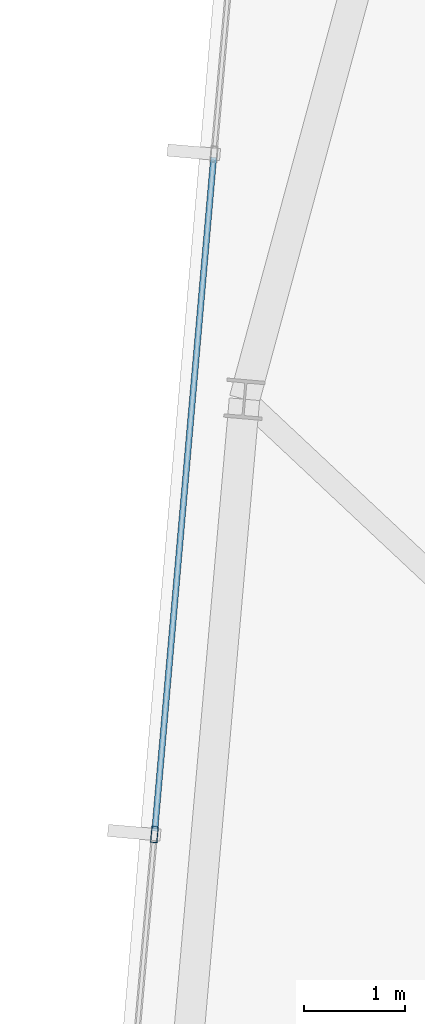
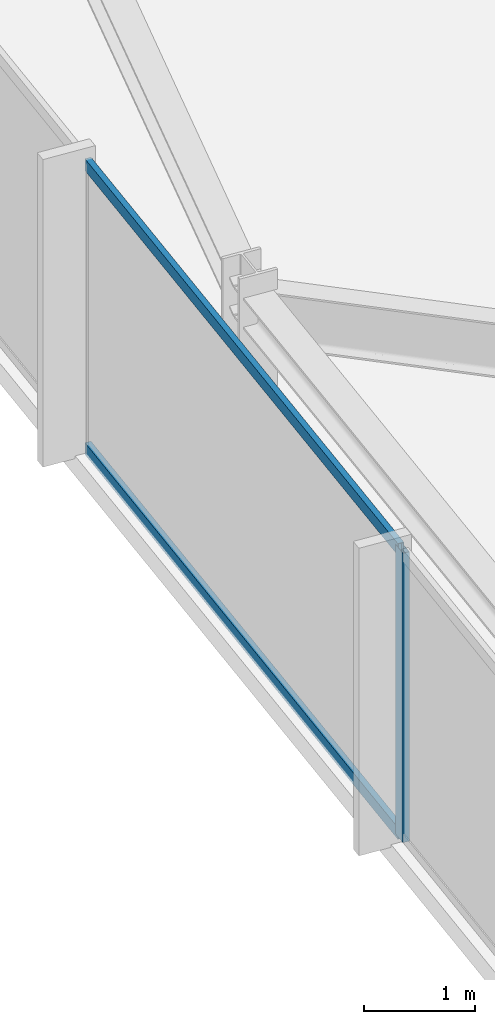
# One storey, part 9 of 32: 3 members, 1 element without a shape of its own.
"""IFC4 building model written with IfcOpenShell, lengths in metres."""

import ifcopenshell
import ifcopenshell.guid

model = None  # the IFC model being written
_history = None  # IfcOwnerHistory: only IFC2X3 demands one
_inside = {}  # id of a spatial element -> (the spatial element, [elements in it])
_under = {}  # id of a project, library or spatial element -> (it, [spatial elements below it])
_declared = {}  # id of a project -> (the project, [libraries it declares])
_typed = {}  # id of a type object -> (the type object, [elements of that type])
_made_of = {}  # id of a material, layer set ... -> (it, [elements and type objects made of it])


def new_model(schema):
    """Start an empty IFC model of exactly this schema.

    Asked for "IFC4X3", IfcOpenShell would pick the latest addendum, in which some entities
    have other attributes; the version numbers below select the first issue.
    IFC2X3 requires an IfcOwnerHistory on every rooted entity: one is made here for all.
    """
    global model, _history
    if schema == "IFC4X3":
        model = ifcopenshell.file(schema_version=(4, 3, 0, 0))
    else:
        model = ifcopenshell.file(schema=schema)
    _inside.clear()
    _under.clear()
    _declared.clear()
    _typed.clear()
    _made_of.clear()
    _history = None
    if model.schema == "IFC2X3":
        org = make("IfcOrganization", Name="unknown")
        user = make(
            "IfcPersonAndOrganization",
            ThePerson=make("IfcPerson", FamilyName="unknown"),
            TheOrganization=org,
        )
        app = make(
            "IfcApplication",
            ApplicationDeveloper=org,
            Version="unknown",
            ApplicationFullName="unknown",
            ApplicationIdentifier="unknown",
        )
        _history = make(
            "IfcOwnerHistory",
            OwningUser=user,
            OwningApplication=app,
            ChangeAction="ADDED",
            CreationDate=0,
        )
    return model


def make(cls, **values):
    """One entity of the class cls with the attributes given. An attribute that is None is left unset."""
    return model.create_entity(
        cls, **{name: value for name, value in values.items() if value is not None}
    )


def rooted(cls, **values):
    """An entity with a GlobalId (a new one), such as an element, a storey or a relation."""
    return make(cls, GlobalId=ifcopenshell.guid.new(), OwnerHistory=_history, **values)


def si_unit(unit_type, name, prefix=None):
    """IfcSIUnit, for example si_unit("LENGTHUNIT", "METRE", prefix="MILLI")."""
    return make("IfcSIUnit", UnitType=unit_type, Prefix=prefix, Name=name)


def assignment(units):
    """IfcUnitAssignment: the units of a project."""
    return None if units is None else make("IfcUnitAssignment", Units=units)


def point(xyz):
    """IfcCartesianPoint."""
    return None if xyz is None else make("IfcCartesianPoint", Coordinates=xyz)


def direction(xyz):
    """IfcDirection."""
    return None if xyz is None else make("IfcDirection", DirectionRatios=xyz)


def frame(location, z_axis=None, x_axis=None):
    """IfcAxis2Placement3D, a coordinate frame: its origin and axes. An axis left out is left unset."""
    return make(
        "IfcAxis2Placement3D",
        Location=point(location),
        Axis=direction(z_axis),
        RefDirection=direction(x_axis),
    )


def frame_2d(location, x_axis=None):
    """IfcAxis2Placement2D, a coordinate frame in the plane: its origin and x axis."""
    return make(
        "IfcAxis2Placement2D", Location=point(location), RefDirection=direction(x_axis)
    )


def origin():
    """The frame at (0, 0, 0) with its axes left unset."""
    return frame((0.0, 0.0, 0.0))


def origin_2d():
    """The frame at (0, 0) in the plane with its x axis left unset."""
    return frame_2d((0.0, 0.0))


def place(relative_to, where):
    """IfcLocalPlacement: puts the frame where relative to a parent placement (None: the world)."""
    return make(
        "IfcLocalPlacement", PlacementRelTo=relative_to, RelativePlacement=where
    )


def context(
    kind, dimensions, precision=None, world=None, true_north=None, identifier=None
):
    """IfcGeometricRepresentationContext, for example the 3D "Model" context."""
    return make(
        "IfcGeometricRepresentationContext",
        ContextIdentifier=identifier,
        ContextType=kind,
        CoordinateSpaceDimension=dimensions,
        Precision=precision,
        WorldCoordinateSystem=world,
        TrueNorth=true_north,
    )


def subcontext(parent, identifier, kind, view, scale=None):
    """IfcGeometricRepresentationSubContext, for example "Body" below "Model"."""
    return make(
        "IfcGeometricRepresentationSubContext",
        ContextIdentifier=identifier,
        ContextType=kind,
        ParentContext=parent,
        TargetScale=scale,
        TargetView=view,
    )


def project(units=None, contexts=None):
    """IfcProject with its units and contexts."""
    return rooted(
        "IfcProject",
        Name="project",
        RepresentationContexts=contexts,
        UnitsInContext=assignment(units),
    )


def spatial(cls, under=None, at=None, **own):
    """A site, building, storey or space (cls), placed at a placement, below another one or the project."""
    s = rooted(cls, ObjectPlacement=at, **own)
    if under is not None:
        _under.setdefault(under.id(), (under, []))[1].append(s)
    return s


def profile(cls, at=None, kind="AREA", **sizes):
    """A parametric profile (cls). Its sizes go by their IFC names, for example OverallWidth=200.0."""
    return make(cls, ProfileType=kind, Position=at, **sizes)


def hollow_rectangle(**sizes):
    """IfcRectangleHollowProfileDef."""
    return profile("IfcRectangleHollowProfileDef", **sizes)


def extrude(swept, where, along, depth):
    """IfcExtrudedAreaSolid: the profile swept, set in the frame where, extruded along a direction by depth."""
    return make(
        "IfcExtrudedAreaSolid",
        SweptArea=swept,
        Position=where,
        ExtrudedDirection=direction(along),
        Depth=depth,
    )


def shape(context_of_items, identifier, shape_type, items):
    """IfcShapeRepresentation: the items that make up one representation, for example the "Body"."""
    return make(
        "IfcShapeRepresentation",
        ContextOfItems=context_of_items,
        RepresentationIdentifier=identifier,
        RepresentationType=shape_type,
        Items=items,
    )


def material(Name=None, Category=None):
    """IfcMaterial."""
    return make("IfcMaterial", Name=Name, Category=Category)


def material_profile(
    of_material, cross_section, Name=None, Category=None, Priority=None
):
    """IfcMaterialProfile: a cross section and its material."""
    return make(
        "IfcMaterialProfile",
        Name=Name,
        Material=of_material,
        Profile=cross_section,
        Priority=Priority,
        Category=Category,
    )


def profile_set(profiles, Name=None, composite=None):
    """IfcMaterialProfileSet."""
    return make(
        "IfcMaterialProfileSet",
        Name=Name,
        MaterialProfiles=profiles,
        CompositeProfile=composite,
    )


def made_of(thing, what):
    """Note that an element or type object is made of a material, layer set ...; save() writes the relation."""
    if what is not None:
        _made_of.setdefault(what.id(), (what, []))[1].append(thing)
    return thing


def type_object(cls, material=None, **own):
    """A type object (cls), such as IfcWallType, which elements share."""
    return made_of(rooted(cls, **own), material)


def element(
    cls,
    number,
    at=None,
    inside=None,
    cuts=None,
    type_object=None,
    material=None,
    context=None,
    identifier="Body",
    shape_type=None,
    held_by="IfcProductDefinitionShape",
    body=None,
    shapes=None,
    **own,
):
    """One element of the class cls, such as IfcWall. Its Tag is "e" and its number.

    at: its placement. inside: the storey or other place that contains it. cuts: it is an
    opening in that element (IfcRelVoidsElement). A single representation is given by context,
    identifier, shape_type and body (its items); several are given by shapes. held_by: the class
    of the entity that holds the representations. save() writes the other relations.
    """
    e = rooted(cls, Tag="e%d" % number, ObjectPlacement=at, **own)
    if body is not None:
        shapes = [shape(context, identifier, shape_type, body)]
    if shapes is not None:
        e.Representation = make(held_by, Representations=shapes)
    if inside is not None:
        _inside.setdefault(inside.id(), (inside, []))[1].append(e)
    if cuts is not None:
        rooted(
            "IfcRelVoidsElement", RelatingBuildingElement=cuts, RelatedOpeningElement=e
        )
    if type_object is not None:
        _typed.setdefault(type_object.id(), (type_object, []))[1].append(e)
    return made_of(e, material)


def aggregate(whole, parts):
    """IfcRelAggregates: a whole, such as a stair, and the parts it consists of."""
    return rooted("IfcRelAggregates", RelatingObject=whole, RelatedObjects=parts)


def save(model, path):
    """Write the relations noted so far, then the file.

    IfcRelAggregates (storeys below a building ...), IfcRelContainedInSpatialStructure (elements
    in a storey), IfcRelDefinesByType, IfcRelAssociatesMaterial and IfcRelDeclares: one each for
    every whole, place, type object, material and project.
    """
    for whole, parts in _under.values():
        aggregate(whole, parts)
    for where, things in _inside.values():
        rooted(
            "IfcRelContainedInSpatialStructure",
            RelatedElements=things,
            RelatingStructure=where,
        )
    for kind, things in _typed.values():
        rooted("IfcRelDefinesByType", RelatedObjects=things, RelatingType=kind)
    for what, things in _made_of.values():
        rooted("IfcRelAssociatesMaterial", RelatedObjects=things, RelatingMaterial=what)
    for by, libraries in _declared.values():
        rooted("IfcRelDeclares", RelatingContext=by, RelatedDefinitions=libraries)
    model.write(path)


model = new_model("IFC4")

# Units and contexts
model_context = context("Model", 3, precision=1e-05, world=origin(), true_north=direction((0.0, 1.0)))
body_context = subcontext(model_context, "Body", "Model", "MODEL_VIEW")
ifc_project = project(units=[si_unit("LENGTHUNIT", "METRE"), si_unit("AREAUNIT", "SQUARE_METRE"), si_unit("VOLUMEUNIT", "CUBIC_METRE"), si_unit("PLANEANGLEUNIT", "RADIAN"), si_unit("MASSUNIT", "GRAM", prefix="KILO")], contexts=[model_context])

# Site, building, storey
site_placement = place(None, origin())
site = spatial("IfcSite", under=ifc_project, at=site_placement, CompositionType="ELEMENT")
building_placement = place(site_placement, origin())
building = spatial("IfcBuilding", under=site, at=building_placement, Name="Yelkora Congress Tower", CompositionType="ELEMENT")
storey_placement = place(building_placement, frame((0.0, 0.0, 269.300048828125)))
storey = spatial("IfcBuildingStorey", under=building, at=storey_placement, Name="L75", CompositionType="ELEMENT", Elevation=269.300048828125)

# Curtain wall, members
ifc_material_1 = material(Name="Anodised aluminium and insulated glass", Category="aluminium")
curtain_wall_type = type_object("IfcCurtainWallType", Name="CW-SYS-B5", PredefinedType="NOTDEFINED", material=ifc_material_1)
curtain_wall_placement = place(storey_placement, origin())
curtain_wall = element("IfcCurtainWall", 1, at=curtain_wall_placement, inside=storey, type_object=curtain_wall_type, Name="L75 Unitised Curtain Wall 5", PredefinedType="NOTDEFINED")
ifc_material_2 = material(Name="Anodised aluminium 6063-T6", Category="aluminium")
ifc_material_profile_1 = material_profile(ifc_material_2, hollow_rectangle(XDim=0.06494140625, YDim=0.159912109375, WallThickness=0.00390625, at=origin_2d()), Name="ALU 65x160x4")
ifc_profile_set_1 = profile_set([ifc_material_profile_1], Name="Anodised aluminium 6063-T6")
member_type_1 = type_object("IfcMemberType", Name="MEM-ML-B5", PredefinedType="MULLION", material=ifc_profile_set_1)
member_1_placement = place(storey_placement, frame((6.900146484375, 35.200927734375, 0.0), z_axis=(0.0, 0.0, 1.0), x_axis=(-0.996194785929, 0.08715473876, 0.0)))
member_1 = element("IfcMember", 2, at=member_1_placement, type_object=member_type_1, Name="CW-B5 mullion 3", PredefinedType="MULLION", context=body_context, shape_type="SweptSolid", body=[
    extrude(hollow_rectangle(XDim=0.06494140625, YDim=0.159912109375, WallThickness=0.00390625, at=origin_2d()), origin(), (0.0, 0.0, 1.0), 3.179931640625),
])
ifc_material_profile_2 = material_profile(ifc_material_2, hollow_rectangle(XDim=0.06005859375, YDim=0.1298828125, WallThickness=0.00390625, at=origin_2d()), Name="ALU 60x130x4")
ifc_profile_set_2 = profile_set([ifc_material_profile_2], Name="Anodised aluminium 6063-T6")
member_type_2 = type_object("IfcMemberType", Name="MEM-TR-B5", PredefinedType="USERDEFINED", material=ifc_profile_set_2)
member_2_placement = place(storey_placement, frame((6.903076171875, 35.2333984375, 0.030029296875), z_axis=(0.087143321513, 0.996195784731, 0.0), x_axis=(-0.996195784731, 0.087143321513, 0.0)))
member_2 = element("IfcMember", 3, at=member_2_placement, type_object=member_type_2, Name="CW-B5 transom 3.1", ObjectType="TRANSOM", PredefinedType="USERDEFINED", context=body_context, shape_type="SweptSolid", body=[
    extrude(hollow_rectangle(XDim=0.06005859375, YDim=0.1298828125, WallThickness=0.00390625, at=origin_2d()), origin(), (0.0, 0.0, 1.0), 6.6650390625),
])
member_3_placement = place(storey_placement, frame((6.903076171875, 35.2333984375, 3.14990234375), z_axis=(0.087143321513, 0.996195784731, 0.0), x_axis=(-0.996195784731, 0.087143321513, 0.0)))
member_3 = element("IfcMember", 4, at=member_3_placement, type_object=member_type_2, Name="CW-B5 transom 3.2", ObjectType="TRANSOM", PredefinedType="USERDEFINED", context=body_context, shape_type="SweptSolid", body=[
    extrude(hollow_rectangle(XDim=0.06005859375, YDim=0.1298828125, WallThickness=0.00390625, at=origin_2d()), origin(), (0.0, 0.0, 1.0), 6.6650390625),
])
aggregate(curtain_wall, [member_1, member_2, member_3])

save(model, "model.ifc")
